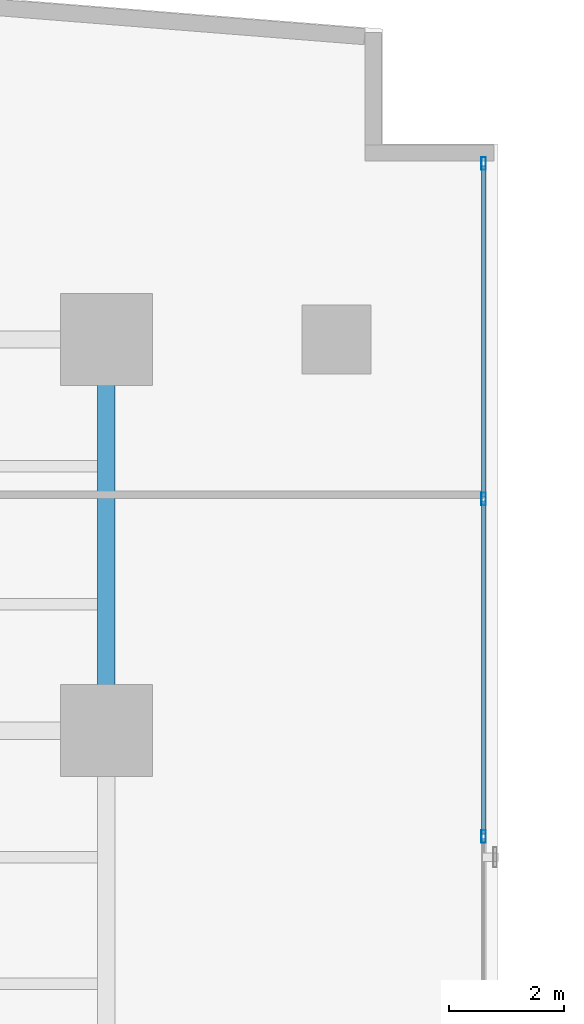
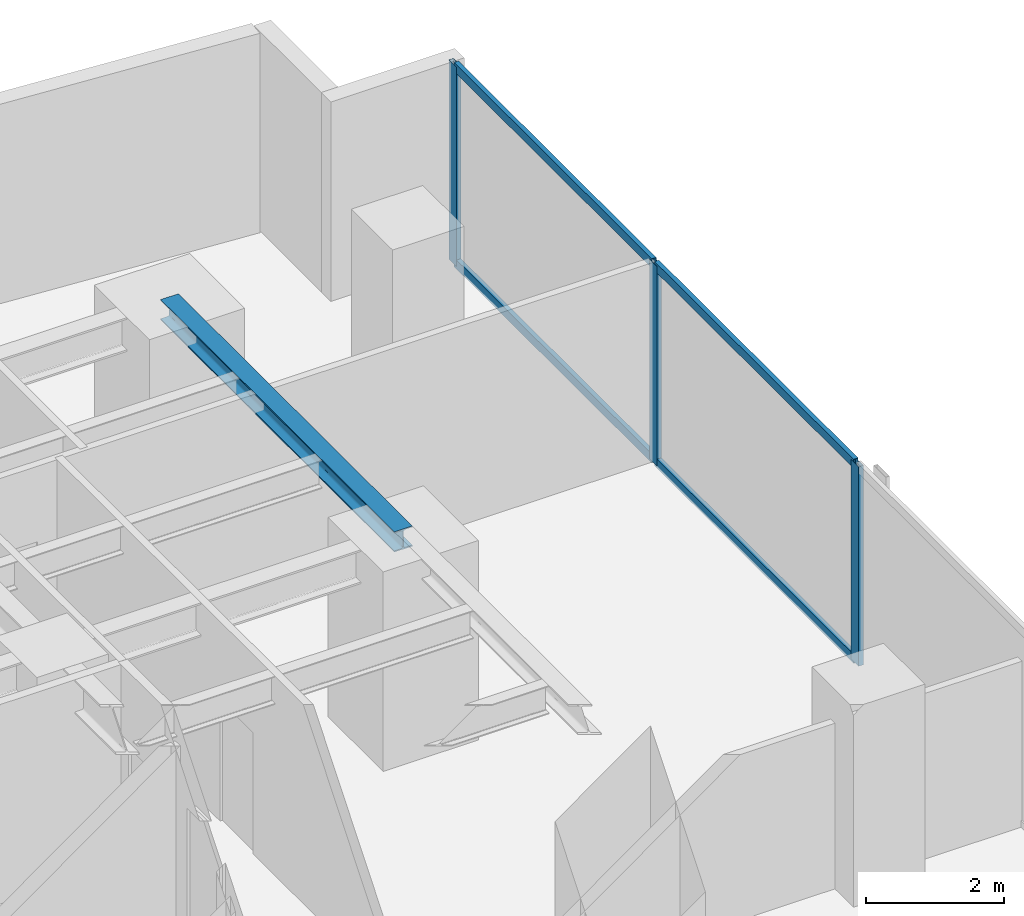
# One storey, part 19 of 30: 7 members, 1 beam, 1 element without a shape of its own.
"""IFC4 building model written with IfcOpenShell, lengths in metres."""

from ifc_helpers import new_model, si_unit, direction, frame, origin, origin_with_axes, origin_2d, place, context, subcontext, project, spatial, hollow_rectangle, i_section, extrude, source, transform, mapped, material, layer, layer_set, material_profile, profile_set, type_object, element, aggregate, save


model = new_model("IFC4")

# Units and contexts
model_context = context("Model", 3, precision=1e-05, world=origin(), true_north=direction((0.0, 1.0)))
body_context = subcontext(model_context, "Body", "Model", "MODEL_VIEW")
ifc_project = project(units=[si_unit("LENGTHUNIT", "METRE"), si_unit("AREAUNIT", "SQUARE_METRE"), si_unit("VOLUMEUNIT", "CUBIC_METRE"), si_unit("PLANEANGLEUNIT", "RADIAN"), si_unit("MASSUNIT", "GRAM", prefix="KILO")], contexts=[model_context])

# Site, building, storey
site_placement = place(None, origin())
site = spatial("IfcSite", under=ifc_project, at=site_placement, CompositionType="ELEMENT")
building_placement = place(site_placement, origin())
building = spatial("IfcBuilding", under=site, at=building_placement, Name="Kolvaren Waterfront Exchange", CompositionType="ELEMENT")
storey_placement = place(building_placement, frame((0.0, 0.0, 52.39990234375)))
storey = spatial("IfcBuildingStorey", under=building, at=storey_placement, Name="L13", CompositionType="ELEMENT", Elevation=52.39990234375)

# Beam
ifc_material_1 = material(Name="Steel S355", Category="steel")
ifc_material_profile_1 = material_profile(ifc_material_1, i_section(OverallWidth=0.300048828125, OverallDepth=0.360107421875, WebThickness=0.012451171875, FlangeThickness=0.0224609375, FilletRadius=0.027099609375, at=origin_2d()), Name="HEB360")
ifc_profile_set_1 = profile_set([ifc_material_profile_1], Name="Steel S355")
beam_type = type_object("IfcBeamType", Name="STR-BM-HEB360", PredefinedType="SPANDREL", material=ifc_profile_set_1)
beam_placement = place(storey_placement, frame((18.800048828125, 37.800048828125, 3.360107421875), z_axis=(0.0, 1.0, 0.0), x_axis=(-1.0, 0.0, 0.0)))
element("IfcBeam", 1, at=beam_placement, inside=storey, type_object=beam_type, Name="L13 north-arm edge beam 3", PredefinedType="SPANDREL", context=body_context, shape_type="SweptSolid", body=[
    extrude(i_section(OverallWidth=0.300048828125, OverallDepth=0.360107421875, WebThickness=0.012451171875, FlangeThickness=0.0224609375, FilletRadius=0.027099609375, at=origin_2d()), origin(), (0.0, 0.0, 1.0), 6.800048828125),
])

# Curtain wall, members
ifc_material_2 = material(Name="Anodised bronze aluminium 6063-T6", Category="aluminium")
ifc_layer = layer(ifc_material_2, 0.219970703125, Name="Anodised bronze aluminium 6063-T6")
ifc_layer_set = layer_set([ifc_layer], Name="Anodised bronze aluminium 6063-T6")
curtain_wall_type = type_object("IfcCurtainWallType", Name="ARC-CW-SYS1", PredefinedType="USERDEFINED", material=ifc_layer_set)
curtain_wall_placement = place(storey_placement, origin())
curtain_wall = element("IfcCurtainWall", 2, at=curtain_wall_placement, inside=storey, type_object=curtain_wall_type, Name="L13 stick curtain wall CW1 (CW-L13-NE)", ObjectType="STICK CURTAIN WALL", PredefinedType="USERDEFINED")
ifc_material_3 = material(Name="Anodised aluminium 6063-T6", Category="aluminium")
ifc_material_profile_2 = material_profile(ifc_material_3, hollow_rectangle(XDim=0.074951171875, YDim=0.159912109375, WallThickness=0.00439453125, at=origin_2d()), Name="ALU-TRN-160x75x4.5")
ifc_profile_set_2 = profile_set([ifc_material_profile_2], Name="Anodised aluminium 6063-T6")
member_type_1 = type_object("IfcMemberType", Name="ARC-CWT-160", PredefinedType="USERDEFINED", material=ifc_profile_set_2)
shared_shape_1 = source(origin_with_axes(), body_context, "Body", "SweptSolid", [
    extrude(hollow_rectangle(XDim=0.074951171875, YDim=0.159912109375, WallThickness=0.00439453125, at=origin_2d()), origin(), (0.0, 0.0, 1.0), 5.75),
])
member_1_placement = place(storey_placement, frame((25.360107421875, 41.8701171875, 0.03759765625), z_axis=(0.0, 1.0, 0.0), x_axis=(-1.0, 0.0, 0.0)))
member_1 = element("IfcMember", 3, at=member_1_placement, type_object=member_type_1, Name="CW1 transom 3.1", ObjectType="TRANSOM", PredefinedType="USERDEFINED", context=body_context, shape_type="MappedRepresentation", body=[
    mapped(shared_shape_1, transform((0.0, 0.0, 0.0), x_axis=(1.0, 0.0, 0.0), y_axis=(0.0, 1.0, 0.0), z_axis=(0.0, 0.0, 1.0), scale=1.0)),
])
member_2_placement = place(storey_placement, frame((25.360107421875, 41.8701171875, 3.502685546875), z_axis=(0.0, 1.0, 0.0), x_axis=(-1.0, 0.0, 0.0)))
member_2 = element("IfcMember", 4, at=member_2_placement, type_object=member_type_1, Name="CW1 transom 3.2", ObjectType="TRANSOM", PredefinedType="USERDEFINED", context=body_context, shape_type="MappedRepresentation", body=[
    mapped(shared_shape_1, transform((0.0, 0.0, 0.0), x_axis=(1.0, 0.0, 0.0), y_axis=(0.0, 1.0, 0.0), z_axis=(0.0, 0.0, 1.0), scale=1.0)),
])
shared_shape_2 = source(origin_with_axes(), body_context, "Body", "SweptSolid", [
    extrude(hollow_rectangle(XDim=0.074951171875, YDim=0.159912109375, WallThickness=0.00439453125, at=origin_2d()), origin(), (0.0, 0.0, 1.0), 5.7900390625),
])
member_3_placement = place(storey_placement, frame((25.360107421875, 36.0, 0.03759765625), z_axis=(0.0, 1.0, 0.0), x_axis=(-1.0, 0.0, 0.0)))
member_3 = element("IfcMember", 5, at=member_3_placement, type_object=member_type_1, Name="CW1 transom 2.1", ObjectType="TRANSOM", PredefinedType="USERDEFINED", context=body_context, shape_type="MappedRepresentation", body=[
    mapped(shared_shape_2, transform((0.0, 0.0, 0.0), x_axis=(1.0, 0.0, 0.0), y_axis=(0.0, 1.0, 0.0), z_axis=(0.0, 0.0, 1.0), scale=1.0)),
])
member_4_placement = place(storey_placement, frame((25.360107421875, 36.0, 3.502685546875), z_axis=(0.0, 1.0, 0.0), x_axis=(-1.0, 0.0, 0.0)))
member_4 = element("IfcMember", 6, at=member_4_placement, type_object=member_type_1, Name="CW1 transom 2.2", ObjectType="TRANSOM", PredefinedType="USERDEFINED", context=body_context, shape_type="MappedRepresentation", body=[
    mapped(shared_shape_2, transform((0.0, 0.0, 0.0), x_axis=(1.0, 0.0, 0.0), y_axis=(0.0, 1.0, 0.0), z_axis=(0.0, 0.0, 1.0), scale=1.0)),
])
ifc_material_profile_3 = material_profile(ifc_material_3, hollow_rectangle(XDim=0.080078125, YDim=0.219970703125, WallThickness=0.0048828125, at=origin_2d()), Name="ALU-MUL-220x80x5")
ifc_profile_set_3 = profile_set([ifc_material_profile_3], Name="Anodised aluminium 6063-T6")
member_type_2 = type_object("IfcMemberType", Name="ARC-CWM-220", PredefinedType="MULLION", material=ifc_profile_set_3)
shared_shape_3 = source(origin_with_axes(), body_context, "Body", "SweptSolid", [
    extrude(hollow_rectangle(XDim=0.080078125, YDim=0.219970703125, WallThickness=0.0048828125, at=origin_2d()), origin(), (0.0, 0.0, 1.0), 3.5400390625),
])
member_5_placement = place(storey_placement, frame((25.360107421875, 35.9599609375, 0.0), z_axis=(0.0, 0.0, 1.0), x_axis=(-1.0, 0.0, 0.0)))
member_5 = element("IfcMember", 7, at=member_5_placement, type_object=member_type_2, Name="CW1 mullion 2", PredefinedType="MULLION", context=body_context, shape_type="MappedRepresentation", body=[
    mapped(shared_shape_3, transform((0.0, 0.0, 0.0), x_axis=(1.0, 0.0, 0.0), y_axis=(0.0, 1.0, 0.0), z_axis=(0.0, 0.0, 1.0), scale=1.0)),
])
member_6_placement = place(storey_placement, frame((25.360107421875, 41.830078125, 0.0), z_axis=(0.0, 0.0, 1.0), x_axis=(-1.0, 0.0, 0.0)))
member_6 = element("IfcMember", 8, at=member_6_placement, type_object=member_type_2, Name="CW1 mullion 3", PredefinedType="MULLION", context=body_context, shape_type="MappedRepresentation", body=[
    mapped(shared_shape_3, transform((0.0, 0.0, 0.0), x_axis=(1.0, 0.0, 0.0), y_axis=(0.0, 1.0, 0.0), z_axis=(0.0, 0.0, 1.0), scale=1.0)),
])
member_7_placement = place(storey_placement, frame((25.360107421875, 47.659912109375, 0.0), z_axis=(0.0, 0.0, 1.0), x_axis=(-1.0, 0.0, 0.0)))
member_7 = element("IfcMember", 9, at=member_7_placement, type_object=member_type_2, Name="CW1 mullion 4", PredefinedType="MULLION", context=body_context, shape_type="MappedRepresentation", body=[
    mapped(shared_shape_3, transform((0.0, 0.0, 0.0), x_axis=(1.0, 0.0, 0.0), y_axis=(0.0, 1.0, 0.0), z_axis=(0.0, 0.0, 1.0), scale=1.0)),
])
aggregate(curtain_wall, [member_5, member_6, member_7, member_3, member_4, member_1, member_2])

save(model, "model.ifc")
